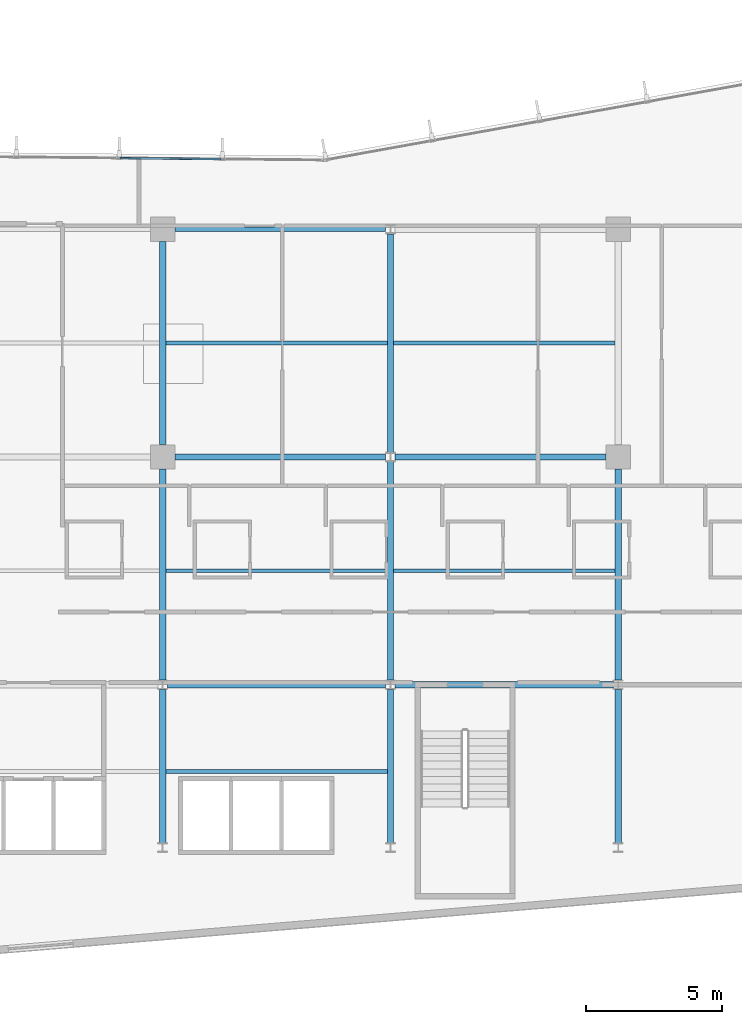
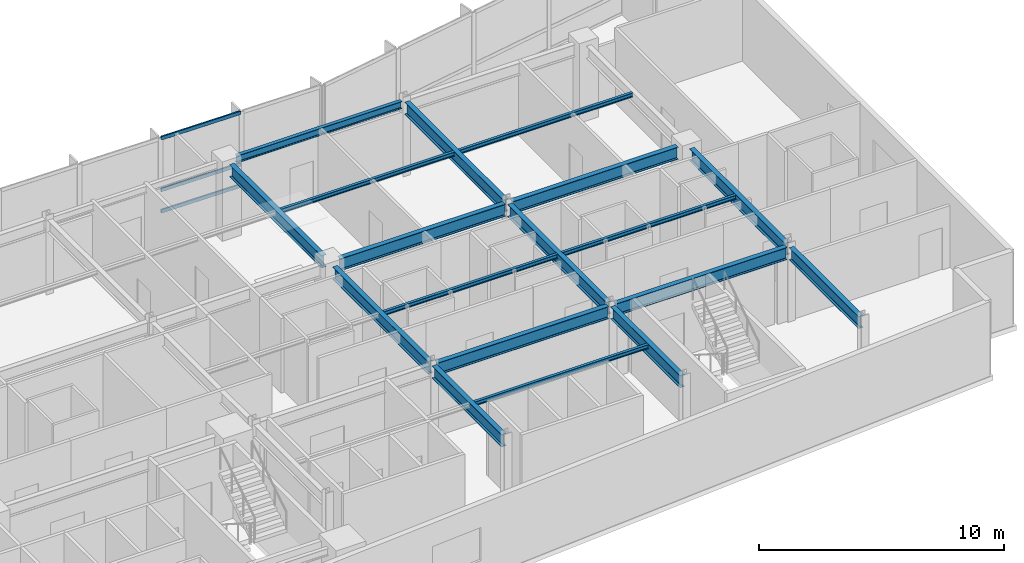
# One storey, part 5 of 19: 18 beams, 3 members, 1 element without a shape of its own.
"""IFC4 building model written with IfcOpenShell, lengths in metres."""

from ifc_helpers import new_model, si_unit, direction, frame, origin, origin_2d, place, context, subcontext, project, spatial, hollow_rectangle, i_section, extrude, material, layer, layer_set, material_profile, profile_set, type_object, element, aggregate, save


model = new_model("IFC4")

# Units and contexts
model_context = context("Model", 3, precision=1e-05, world=origin(), true_north=direction((0.0, 1.0)))
body_context = subcontext(model_context, "Body", "Model", "MODEL_VIEW")
ifc_project = project(units=[si_unit("LENGTHUNIT", "METRE"), si_unit("AREAUNIT", "SQUARE_METRE"), si_unit("VOLUMEUNIT", "CUBIC_METRE"), si_unit("PLANEANGLEUNIT", "RADIAN"), si_unit("MASSUNIT", "GRAM", prefix="KILO")], contexts=[model_context])

# Site, building, storey
site_placement = place(None, origin())
site = spatial("IfcSite", under=ifc_project, at=site_placement, CompositionType="ELEMENT")
building_placement = place(site_placement, origin())
building = spatial("IfcBuilding", under=site, at=building_placement, Name="Varnakote Quay Hospital", CompositionType="ELEMENT")
storey_placement = place(building_placement, frame((0.0, 0.0, 54.10009765625)))
storey = spatial("IfcBuildingStorey", under=building, at=storey_placement, Name="L13", CompositionType="ELEMENT", Elevation=54.10009765625)

# Beams
ifc_material_1 = material(Name="Structural steel AS/NZS 3679.1 Grade 350 L0 (fy 340 MPa)", Category="steel")
ifc_material_profile_1 = material_profile(ifc_material_1, i_section(OverallWidth=0.22900390625, OverallDepth=0.612060546875, WebThickness=0.011962890625, FlangeThickness=0.01953125, FilletRadius=0.013916015625, at=origin_2d()), Name="610UB125")
ifc_profile_set_1 = profile_set([ifc_material_profile_1], Name="Structural steel AS/NZS 3679.1 Grade 350 L0 (fy 340 MPa)")
beam_type_1 = type_object("IfcBeamType", Name="BM-STL-610UB125", PredefinedType="BEAM", material=ifc_profile_set_1)
for number, where, z_axis, x_axis, name in (
    (1, (33.77490234375, 12.0, 3.40380859375), (1.0, 0.0, 0.0), (0.0, 1.0, 0.0), "L13 Primary Floor Beam"),
    (2, (42.175048828125, 12.0, 3.40380859375), (1.0, 0.0, 0.0), (0.0, 1.0, 0.0), "L13 Primary Floor Beam"),
):
    element("IfcBeam", number, at=place(storey_placement, frame(where, z_axis=z_axis, x_axis=x_axis)), inside=storey, type_object=beam_type_1, Name=name, PredefinedType="BEAM", context=body_context, shape_type="SweptSolid", body=[
        extrude(i_section(OverallWidth=0.22900390625, OverallDepth=0.612060546875, WebThickness=0.011962890625, FlangeThickness=0.01953125, FilletRadius=0.013916015625, at=origin_2d()), origin(), (0.0, 0.0, 1.0), 8.050048828125),
    ])
for number, where, z_axis, x_axis, name in (
    (3, (34.050048828125, 20.39990234375, 3.40380859375), (1.0, 0.0, 0.0), (0.0, 1.0, 0.0), "L13 Primary Floor Beam"),
    (4, (42.175048828125, 20.39990234375, 3.40380859375), (1.0, 0.0, 0.0), (0.0, 1.0, 0.0), "L13 Primary Floor Beam"),
):
    element("IfcBeam", number, at=place(storey_placement, frame(where, z_axis=z_axis, x_axis=x_axis)), inside=storey, type_object=beam_type_1, Name=name, PredefinedType="BEAM", context=body_context, shape_type="SweptSolid", body=[
        extrude(i_section(OverallWidth=0.22900390625, OverallDepth=0.612060546875, WebThickness=0.011962890625, FlangeThickness=0.01953125, FilletRadius=0.013916015625, at=origin_2d()), origin(), (0.0, 0.0, 1.0), 7.77490234375),
    ])
beam_1_placement = place(storey_placement, frame((33.60009765625, 6.169921875, 3.40380859375), z_axis=(0.0, 1.0, 0.0), x_axis=(-1.0, 0.0, 0.0)))
element("IfcBeam", 5, at=beam_1_placement, inside=storey, type_object=beam_type_1, Name="L13 Primary Tie Beam", PredefinedType="BEAM", context=body_context, shape_type="SweptSolid", body=[
    extrude(i_section(OverallWidth=0.22900390625, OverallDepth=0.612060546875, WebThickness=0.011962890625, FlangeThickness=0.01953125, FilletRadius=0.013916015625, at=origin_2d()), origin(), (0.0, 0.0, 1.0), 5.66015625),
])
beam_2_placement = place(storey_placement, frame((33.60009765625, 12.169921875, 3.40380859375), z_axis=(0.0, 1.0, 0.0), x_axis=(-1.0, 0.0, 0.0)))
element("IfcBeam", 6, at=beam_2_placement, inside=storey, type_object=beam_type_1, Name="L13 Primary Tie Beam", PredefinedType="BEAM", context=body_context, shape_type="SweptSolid", body=[
    extrude(i_section(OverallWidth=0.22900390625, OverallDepth=0.612060546875, WebThickness=0.011962890625, FlangeThickness=0.01953125, FilletRadius=0.013916015625, at=origin_2d()), origin(), (0.0, 0.0, 1.0), 7.780029296875),
])
beam_3_placement = place(storey_placement, frame((33.60009765625, 20.85009765625, 3.40380859375), z_axis=(0.0, 1.0, 0.0), x_axis=(-1.0, 0.0, 0.0)))
element("IfcBeam", 7, at=beam_3_placement, inside=storey, type_object=beam_type_1, Name="L13 Primary Tie Beam", PredefinedType="BEAM", context=body_context, shape_type="SweptSolid", body=[
    extrude(i_section(OverallWidth=0.22900390625, OverallDepth=0.612060546875, WebThickness=0.011962890625, FlangeThickness=0.01953125, FilletRadius=0.013916015625, at=origin_2d()), origin(), (0.0, 0.0, 1.0), 7.5),
])
beam_4_placement = place(storey_placement, frame((42.0, 6.169921875, 3.40380859375), z_axis=(0.0, 1.0, 0.0), x_axis=(-1.0, 0.0, 0.0)))
element("IfcBeam", 8, at=beam_4_placement, inside=storey, type_object=beam_type_1, Name="L13 Primary Tie Beam", PredefinedType="BEAM", context=body_context, shape_type="SweptSolid", body=[
    extrude(i_section(OverallWidth=0.22900390625, OverallDepth=0.612060546875, WebThickness=0.011962890625, FlangeThickness=0.01953125, FilletRadius=0.013916015625, at=origin_2d()), origin(), (0.0, 0.0, 1.0), 5.66015625),
])
beam_5_placement = place(storey_placement, frame((42.0, 12.169921875, 3.40380859375), z_axis=(0.0, 1.0, 0.0), x_axis=(-1.0, 0.0, 0.0)))
element("IfcBeam", 9, at=beam_5_placement, inside=storey, type_object=beam_type_1, Name="L13 Primary Tie Beam", PredefinedType="BEAM", context=body_context, shape_type="SweptSolid", body=[
    extrude(i_section(OverallWidth=0.22900390625, OverallDepth=0.612060546875, WebThickness=0.011962890625, FlangeThickness=0.01953125, FilletRadius=0.013916015625, at=origin_2d()), origin(), (0.0, 0.0, 1.0), 8.06005859375),
])
beam_6_placement = place(storey_placement, frame((42.0, 20.570068359375, 3.40380859375), z_axis=(0.0, 1.0, 0.0), x_axis=(-1.0, 0.0, 0.0)))
element("IfcBeam", 10, at=beam_6_placement, inside=storey, type_object=beam_type_1, Name="L13 Primary Tie Beam", PredefinedType="BEAM", context=body_context, shape_type="SweptSolid", body=[
    extrude(i_section(OverallWidth=0.22900390625, OverallDepth=0.612060546875, WebThickness=0.011962890625, FlangeThickness=0.01953125, FilletRadius=0.013916015625, at=origin_2d()), origin(), (0.0, 0.0, 1.0), 8.059814453125),
])
beam_7_placement = place(storey_placement, frame((50.39990234375, 6.169921875, 3.40380859375), z_axis=(0.0, 1.0, 0.0), x_axis=(-1.0, 0.0, 0.0)))
element("IfcBeam", 11, at=beam_7_placement, inside=storey, type_object=beam_type_1, Name="L13 Primary Tie Beam", PredefinedType="BEAM", context=body_context, shape_type="SweptSolid", body=[
    extrude(i_section(OverallWidth=0.22900390625, OverallDepth=0.612060546875, WebThickness=0.011962890625, FlangeThickness=0.01953125, FilletRadius=0.013916015625, at=origin_2d()), origin(), (0.0, 0.0, 1.0), 5.66015625),
])
beam_8_placement = place(storey_placement, frame((50.39990234375, 12.169921875, 3.40380859375), z_axis=(0.0, 1.0, 0.0), x_axis=(-1.0, 0.0, 0.0)))
element("IfcBeam", 12, at=beam_8_placement, inside=storey, type_object=beam_type_1, Name="L13 Primary Tie Beam", PredefinedType="BEAM", context=body_context, shape_type="SweptSolid", body=[
    extrude(i_section(OverallWidth=0.22900390625, OverallDepth=0.612060546875, WebThickness=0.011962890625, FlangeThickness=0.01953125, FilletRadius=0.013916015625, at=origin_2d()), origin(), (0.0, 0.0, 1.0), 7.780029296875),
])

# Curtain wall, members
ifc_material_2 = material(Name="Anodised aluminium 6063-T6 Bronze", Category="aluminium")
ifc_layer = layer(ifc_material_2, 0.18994140625)
ifc_layer_set = layer_set([ifc_layer], Name="Anodised aluminium 6063-T6 Bronze")
curtain_wall_type = type_object("IfcCurtainWallType", Name="CW-SYS-2", PredefinedType="NOTDEFINED", material=ifc_layer_set)
curtain_wall_placement = place(storey_placement, origin())
curtain_wall = element("IfcCurtainWall", 13, at=curtain_wall_placement, inside=storey, type_object=curtain_wall_type, Name="L13 Unitised Bronze Curtain Wall 2", PredefinedType="NOTDEFINED")
ifc_material_3 = material(Name="Anodised aluminium 6063-T6 Bronze", Category="aluminium")
ifc_material_profile_2 = material_profile(ifc_material_3, hollow_rectangle(XDim=0.074951171875, YDim=0.179931640625, WallThickness=0.004150390625, InnerFilletRadius=0.004150390625, OuterFilletRadius=0.00830078125, at=origin_2d()), Name="CW-TRAN-180x75")
ifc_profile_set_2 = profile_set([ifc_material_profile_2], Name="Anodised aluminium 6063-T6 Bronze")
member_type = type_object("IfcMemberType", Name="CW-TRAN-180x75", PredefinedType="USERDEFINED", material=ifc_profile_set_2)
member_1_placement = place(storey_placement, frame((35.756591796875, 31.38134765625, 0.037353515625), z_axis=(-0.999952203239, 0.009777077123, 0.0), x_axis=(-0.009777077123, -0.999952203239, 0.0)))
member_1 = element("IfcMember", 14, at=member_1_placement, type_object=member_type, Name="-2-L13-2 transom 2.1", ObjectType="TRANSOM", PredefinedType="USERDEFINED", context=body_context, shape_type="SweptSolid", body=[
    extrude(hollow_rectangle(XDim=0.074951171875, YDim=0.179931640625, WallThickness=0.004150390625, InnerFilletRadius=0.004150390625, OuterFilletRadius=0.00830078125, at=origin_2d()), origin(), (0.0, 0.0, 1.0), 3.720703125),
])
member_2_placement = place(storey_placement, frame((35.756591796875, 31.38134765625, 1.099853515625), z_axis=(-0.999952203239, 0.009777077123, 0.0), x_axis=(-0.009777077123, -0.999952203239, 0.0)))
member_2 = element("IfcMember", 15, at=member_2_placement, type_object=member_type, Name="-2-L13-2 transom 2.2", ObjectType="TRANSOM", PredefinedType="USERDEFINED", context=body_context, shape_type="SweptSolid", body=[
    extrude(hollow_rectangle(XDim=0.074951171875, YDim=0.179931640625, WallThickness=0.004150390625, InnerFilletRadius=0.004150390625, OuterFilletRadius=0.00830078125, at=origin_2d()), origin(), (0.0, 0.0, 1.0), 3.720703125),
])
member_3_placement = place(storey_placement, frame((35.756591796875, 31.38134765625, 3.67236328125), z_axis=(-0.999952203239, 0.009777077123, 0.0), x_axis=(-0.009777077123, -0.999952203239, 0.0)))
member_3 = element("IfcMember", 16, at=member_3_placement, type_object=member_type, Name="-2-L13-2 transom 2.3", ObjectType="TRANSOM", PredefinedType="USERDEFINED", context=body_context, shape_type="SweptSolid", body=[
    extrude(hollow_rectangle(XDim=0.074951171875, YDim=0.179931640625, WallThickness=0.004150390625, InnerFilletRadius=0.004150390625, OuterFilletRadius=0.00830078125, at=origin_2d()), origin(), (0.0, 0.0, 1.0), 3.720703125),
])
aggregate(curtain_wall, [member_1, member_2, member_3])

# Beams
ifc_material_4 = material(Name="Structural steel AS/NZS 3679.1 Grade 350 L0 (fy 340 MPa)", Category="steel")
ifc_material_profile_3 = material_profile(ifc_material_4, i_section(OverallWidth=0.134033203125, OverallDepth=0.20703125, WebThickness=0.00634765625, FlangeThickness=0.009521484375, FilletRadius=0.0087890625, at=origin_2d()), Name="200UB29.8")
ifc_profile_set_3 = profile_set([ifc_material_profile_3], Name="Structural steel AS/NZS 3679.1 Grade 350 L0 (fy 340 MPa)")
beam_type_2 = type_object("IfcBeamType", Name="JST-STL-200UB29-8", PredefinedType="JOIST", material=ifc_profile_set_3)
for number, where, z_axis, x_axis, name in (
    (17, (33.714599609375, 8.800048828125, 3.6064453125), (1.0, 0.0, 0.0), (0.0, 1.0, 0.0), "L13 Composite Floor Joist"),
    (18, (33.714599609375, 16.199951171875, 3.6064453125), (1.0, 0.0, 0.0), (0.0, 1.0, 0.0), "L13 Composite Floor Joist"),
    (19, (42.114501953125, 16.199951171875, 3.6064453125), (1.0, 0.0, 0.0), (0.0, 1.0, 0.0), "L13 Composite Floor Joist"),
    (20, (33.714599609375, 24.60009765625, 3.6064453125), (1.0, 0.0, 0.0), (0.0, 1.0, 0.0), "L13 Composite Floor Joist"),
    (21, (42.114501953125, 24.60009765625, 3.6064453125), (1.0, 0.0, 0.0), (0.0, 1.0, 0.0), "L13 Composite Floor Joist"),
):
    element("IfcBeam", number, at=place(storey_placement, frame(where, z_axis=z_axis, x_axis=x_axis)), inside=storey, type_object=beam_type_2, Name=name, PredefinedType="JOIST", context=body_context, shape_type="SweptSolid", body=[
        extrude(i_section(OverallWidth=0.134033203125, OverallDepth=0.20703125, WebThickness=0.00634765625, FlangeThickness=0.009521484375, FilletRadius=0.0087890625, at=origin_2d()), origin(), (0.0, 0.0, 1.0), 8.1708984375),
    ])
ifc_material_5 = material(Name="Structural steel AS/NZS 3679.1 Grade 350 L0 (fy 340 MPa)", Category="steel")
ifc_material_profile_4 = material_profile(ifc_material_5, i_section(OverallWidth=0.172119140625, OverallDepth=0.35888671875, WebThickness=0.008056640625, FlangeThickness=0.012939453125, FilletRadius=0.011474609375, at=origin_2d()), Name="360UB56.7")
ifc_profile_set_4 = profile_set([ifc_material_profile_4], Name="Structural steel AS/NZS 3679.1 Grade 350 L0 (fy 340 MPa)")
beam_type_3 = type_object("IfcBeamType", Name="SPN-STL-360UB56-7", PredefinedType="SPANDREL", material=ifc_profile_set_4)
beam_9_placement = place(storey_placement, frame((34.050048828125, 28.800048828125, 3.530517578125), z_axis=(1.0, 0.0, 0.0), x_axis=(0.0, 1.0, 0.0)))
element("IfcBeam", 22, at=beam_9_placement, inside=storey, type_object=beam_type_3, Name="L13 Perimeter Spandrel Beam", PredefinedType="SPANDREL", context=body_context, shape_type="SweptSolid", body=[
    extrude(i_section(OverallWidth=0.172119140625, OverallDepth=0.35888671875, WebThickness=0.008056640625, FlangeThickness=0.012939453125, FilletRadius=0.011474609375, at=origin_2d()), origin(), (0.0, 0.0, 1.0), 7.77490234375),
])

save(model, "model.ifc")
